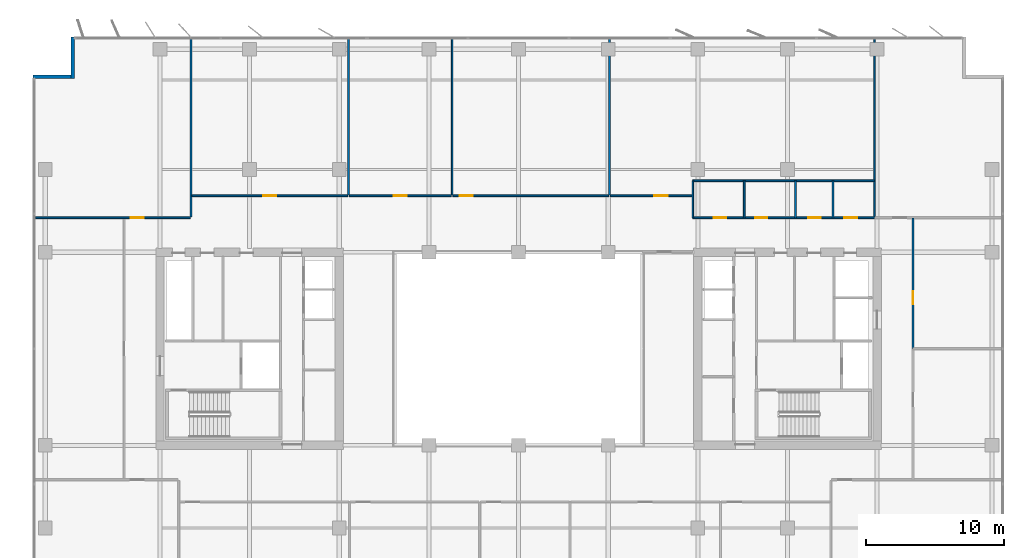
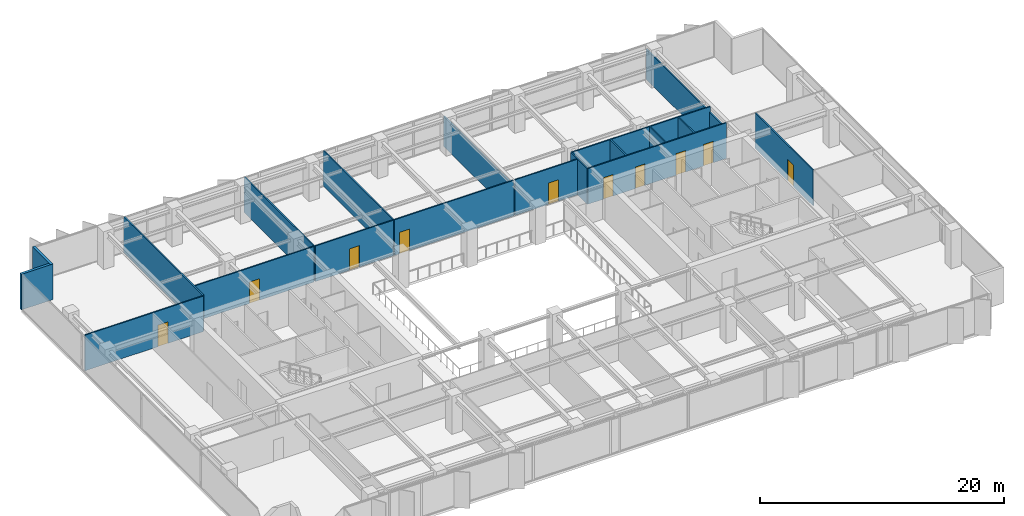
# One storey, part 17 of 22: 19 walls, 10 doors, 10 openings.
"""IFC4 building model written with IfcOpenShell, lengths in metres."""

from ifc_helpers import new_model, si_unit, direction, frame, frame_2d, origin, place, context, subcontext, project, spatial, rectangle, extrude, material, layer, layer_set, type_object, element, fill, save


model = new_model("IFC4")

# Units and contexts
model_context = context("Model", 3, precision=1e-05, world=origin(), true_north=direction((0.0, 1.0)))
body_context = subcontext(model_context, "Body", "Model", "MODEL_VIEW")
ifc_project = project(units=[si_unit("LENGTHUNIT", "METRE"), si_unit("AREAUNIT", "SQUARE_METRE"), si_unit("VOLUMEUNIT", "CUBIC_METRE"), si_unit("PLANEANGLEUNIT", "RADIAN"), si_unit("MASSUNIT", "GRAM", prefix="KILO")], contexts=[model_context])

# Site, building, storey
site_placement = place(None, origin())
site = spatial("IfcSite", under=ifc_project, at=site_placement, CompositionType="ELEMENT")
building_placement = place(site_placement, origin())
building = spatial("IfcBuilding", under=site, at=building_placement, Name="Putna Gate Headquarters", CompositionType="ELEMENT")
storey_placement = place(building_placement, frame((0.0, 0.0, 170.800048828125)))
storey = spatial("IfcBuildingStorey", under=building, at=storey_placement, Name="L42", CompositionType="ELEMENT", Elevation=170.800048828125)

# Walls
ifc_material_1 = material(Name="Precast concrete C40/50", Category="concrete")
ifc_layer_1 = layer(ifc_material_1, 0.239990234375)
ifc_layer_set_1 = layer_set([ifc_layer_1], Name="Precast concrete C40/50")
wall_type_1 = type_object("IfcWallType", Name="WALL-EXT-TERR-240", PredefinedType="STANDARD", material=ifc_layer_set_1)
for number, where, z_axis, x_axis, name in (
    (1, (6.679931640625, 45.60009765625, 0.0), (0.0, 0.0, 1.0), (0.0, 1.0, 0.0), "L42 Corner Notch Return Wall NW-V"),
    (2, (3.800048828125, 45.719970703125, 0.0), (0.0, 0.0, 1.0), (1.0, 0.0, 0.0), "L42 Corner Notch Return Wall NW-H"),
):
    element("IfcWall", number, at=place(storey_placement, frame(where, z_axis=z_axis, x_axis=x_axis)), inside=storey, type_object=wall_type_1, Name=name, PredefinedType="STANDARD", context=body_context, shape_type="SweptSolid", body=[
        extrude(rectangle(XDim=3.0, YDim=0.239990234375, at=frame_2d((1.5, 0.0))), origin(), (0.0, 0.0, 1.0), 3.572021484375),
    ])
ifc_material_2 = material(Name="Acoustic gypsum board on metal stud")
ifc_layer_2 = layer(ifc_material_2, 0.1201171875)
ifc_layer_set_2 = layer_set([ifc_layer_2], Name="Acoustic gypsum board on metal stud")
wall_type_2 = type_object("IfcWallType", Name="WALL-PART-120", PredefinedType="PARTITIONING", material=ifc_layer_set_2)
wall_1_placement = place(storey_placement, frame((15.2548828125, 35.56005859375, 0.0), z_axis=(0.0, 0.0, 1.0), x_axis=(0.0, 1.0, 0.0)))
element("IfcWall", 3, at=wall_1_placement, inside=storey, type_object=wall_type_2, Name="L42 Interior Wall PART-L42-NB-DIV-01", PredefinedType="PARTITIONING", context=body_context, shape_type="SweptSolid", body=[
    extrude(rectangle(XDim=13.02001953125, YDim=0.1201171875, at=frame_2d((6.510009765625, 0.0))), origin(), (0.0, 0.0, 1.0), 3.572021484375),
])
for number, where, z_axis, x_axis, name in (
    (4, (26.669189453125, 37.159912109375, 0.0), (0.0, 0.0, 1.0), (0.0, 1.0, 0.0), "L42 Interior Wall PART-L42-NB-DIV-02"),
    (5, (34.185791015625, 37.159912109375, 0.0), (0.0, 0.0, 1.0), (0.0, 1.0, 0.0), "L42 Interior Wall PART-L42-NB-DIV-03"),
):
    element("IfcWall", number, at=place(storey_placement, frame(where, z_axis=z_axis, x_axis=x_axis)), inside=storey, type_object=wall_type_2, Name=name, PredefinedType="PARTITIONING", context=body_context, shape_type="SweptSolid", body=[
        extrude(rectangle(XDim=11.420166015625, YDim=0.1201171875, at=frame_2d((5.7099609375, 0.0))), origin(), (0.0, 0.0, 1.0), 3.572021484375),
    ])
wall_2_placement = place(storey_placement, frame((45.60009765625, 37.159912109375, 0.0), z_axis=(0.0, 0.0, 1.0), x_axis=(0.0, 1.0, 0.0)))
element("IfcWall", 6, at=wall_2_placement, inside=storey, type_object=wall_type_2, Name="L42 Interior Wall PART-L42-NB-DIV-04", PredefinedType="PARTITIONING", context=body_context, shape_type="SweptSolid", body=[
    extrude(rectangle(XDim=11.420166015625, YDim=0.1201171875, at=frame_2d((5.7099609375, 0.0))), origin(), (0.0, 0.0, 1.0), 3.02197265625),
])
wall_3_placement = place(storey_placement, frame((64.800048828125, 35.56005859375, 0.0), z_axis=(0.0, 0.0, 1.0), x_axis=(0.0, 1.0, 0.0)))
element("IfcWall", 7, at=wall_3_placement, inside=storey, type_object=wall_type_2, Name="L42 Interior Wall PART-L42-NB-DIV-05", PredefinedType="PARTITIONING", context=body_context, shape_type="SweptSolid", body=[
    extrude(rectangle(XDim=13.02001953125, YDim=0.1201171875, at=frame_2d((6.510009765625, 0.0))), origin(), (0.0, 0.0, 1.0), 3.02197265625),
])

# Wall, openings, doors
ifc_material_3 = material(Name="Fire-rated gypsum board on metal stud")
ifc_layer_3 = layer(ifc_material_3, 0.1201171875)
ifc_layer_set_3 = layer_set([ifc_layer_3], Name="Fire-rated gypsum board on metal stud")
wall_type_3 = type_object("IfcWallType", Name="WALL-PART-120-RATED", PredefinedType="PARTITIONING", material=ifc_layer_set_3)
wall_4_placement = place(storey_placement, frame((51.639892578125, 35.5, 0.0), z_axis=(0.0, 0.0, 1.0), x_axis=(1.0, 0.0, 0.0)))
wall_4 = element("IfcWall", 8, at=wall_4_placement, inside=storey, type_object=wall_type_3, Name="L42 Interior Wall PART-L42-SAN-CW", PredefinedType="PARTITIONING", context=body_context, shape_type="SweptSolid", body=[
    extrude(rectangle(XDim=13.16015625, YDim=0.1201171875, at=frame_2d((6.580078125, 0.0))), origin(), (0.0, 0.0, 1.0), 3.572021484375),
])
opening_1_placement = place(wall_4_placement, frame((1.510009765625, 0.0, 0.0)))
opening_1 = element("IfcOpeningElement", 9, at=opening_1_placement, cuts=wall_4, Name="Opening FD-90", PredefinedType="OPENING", context=body_context, shape_type="SweptSolid", body=[
    extrude(rectangle(XDim=0.89990234375, YDim=2.14990234375, at=frame_2d((0.449951171875, 1.074951171875))), frame((0.0, 0.070068359375, 0.0), z_axis=(0.0, -1.0, 0.0), x_axis=(1.0, 0.0, 0.0)), (0.0, 0.0, 1.0), 0.14013671875),
])
opening_2_placement = place(wall_4_placement, frame((4.510009765625, 0.0, 0.0)))
opening_2 = element("IfcOpeningElement", 10, at=opening_2_placement, cuts=wall_4, Name="Opening FD-90", PredefinedType="OPENING", context=body_context, shape_type="SweptSolid", body=[
    extrude(rectangle(XDim=0.89990234375, YDim=2.14990234375, at=frame_2d((0.449951171875, 1.074951171875))), frame((0.0, 0.070068359375, 0.0), z_axis=(0.0, -1.0, 0.0), x_axis=(1.0, 0.0, 0.0)), (0.0, 0.0, 1.0), 0.14013671875),
])
opening_3_placement = place(wall_4_placement, frame((8.360107421875, 0.0, 0.0)))
opening_3 = element("IfcOpeningElement", 11, at=opening_3_placement, cuts=wall_4, Name="Opening FD-90", PredefinedType="OPENING", context=body_context, shape_type="SweptSolid", body=[
    extrude(rectangle(XDim=0.89990234375, YDim=2.14990234375, at=frame_2d((0.449951171875, 1.074951171875))), frame((0.0, 0.070068359375, 0.0), z_axis=(0.0, -1.0, 0.0), x_axis=(1.0, 0.0, 0.0)), (0.0, 0.0, 1.0), 0.14013671875),
])
opening_4_placement = place(wall_4_placement, frame((10.9599609375, 0.0, 0.0)))
opening_4 = element("IfcOpeningElement", 12, at=opening_4_placement, cuts=wall_4, Name="Opening FD-95", PredefinedType="OPENING", context=body_context, shape_type="SweptSolid", body=[
    extrude(rectangle(XDim=0.949951171875, YDim=2.14990234375, at=frame_2d((0.47509765625, 1.074951171875))), frame((0.0, 0.070068359375, 0.0), z_axis=(0.0, -1.0, 0.0), x_axis=(1.0, 0.0, 0.0)), (0.0, 0.0, 1.0), 0.14013671875),
])
ifc_material_4 = material(Name="Acoustic washroom fire door")
door_type_1 = type_object("IfcDoorType", Name="DOOR-FIRE-900", OperationType="NOTDEFINED", PredefinedType="DOOR", material=ifc_material_4)
door_1_placement = place(opening_1_placement, origin())
door_1 = element("IfcDoor", 13, at=door_1_placement, inside=storey, type_object=door_type_1, Name="L42 Washroom Male Door", OperationType="SINGLE_SWING_RIGHT", OverallHeight=2.14990234375, OverallWidth=0.89990234375, PredefinedType="DOOR", context=body_context, shape_type="SweptSolid", body=[
    extrude(rectangle(XDim=0.89990234375, YDim=2.14990234375, at=frame_2d((0.449951171875, 1.074951171875))), frame((0.0, 0.02490234375, 0.0), z_axis=(0.0, -1.0, 0.0), x_axis=(1.0, 0.0, 0.0)), (0.0, 0.0, 1.0), 0.050048828125),
])
fill(opening_1, door_1)
door_2_placement = place(opening_2_placement, origin())
door_2 = element("IfcDoor", 14, at=door_2_placement, inside=storey, type_object=door_type_1, Name="L42 Washroom Female Door", OperationType="SINGLE_SWING_LEFT", OverallHeight=2.14990234375, OverallWidth=0.89990234375, PredefinedType="DOOR", context=body_context, shape_type="SweptSolid", body=[
    extrude(rectangle(XDim=0.89990234375, YDim=2.14990234375, at=frame_2d((0.449951171875, 1.074951171875))), frame((0.0, 0.02490234375, 0.0), z_axis=(0.0, -1.0, 0.0), x_axis=(1.0, 0.0, 0.0)), (0.0, 0.0, 1.0), 0.050048828125),
])
fill(opening_2, door_2)
door_3_placement = place(opening_3_placement, origin())
door_3 = element("IfcDoor", 15, at=door_3_placement, inside=storey, type_object=door_type_1, Name="L42 Accessible WC Door", OperationType="SINGLE_SWING_RIGHT", OverallHeight=2.14990234375, OverallWidth=0.89990234375, PredefinedType="DOOR", context=body_context, shape_type="SweptSolid", body=[
    extrude(rectangle(XDim=0.89990234375, YDim=2.14990234375, at=frame_2d((0.449951171875, 1.074951171875))), frame((0.0, 0.02490234375, 0.0), z_axis=(0.0, -1.0, 0.0), x_axis=(1.0, 0.0, 0.0)), (0.0, 0.0, 1.0), 0.050048828125),
])
fill(opening_3, door_3)
ifc_material_5 = material(Name="Acoustic timber fire door", Category="wood")
door_type_2 = type_object("IfcDoorType", Name="DOOR-FIRE-950", OperationType="NOTDEFINED", PredefinedType="DOOR", material=ifc_material_5)
door_4_placement = place(opening_4_placement, origin())
door_4 = element("IfcDoor", 16, at=door_4_placement, inside=storey, type_object=door_type_2, Name="L42 Staff Pantry and Tea Point Door", OperationType="SINGLE_SWING_LEFT", OverallHeight=2.14990234375, OverallWidth=0.949951171875, PredefinedType="DOOR", context=body_context, shape_type="SweptSolid", body=[
    extrude(rectangle(XDim=0.949951171875, YDim=2.14990234375, at=frame_2d((0.47509765625, 1.074951171875))), frame((0.0, 0.02490234375, 0.0), z_axis=(0.0, -1.0, 0.0), x_axis=(1.0, 0.0, 0.0)), (0.0, 0.0, 1.0), 0.050048828125),
])
fill(opening_4, door_4)

# Walls
wall_5_placement = place(storey_placement, frame((51.639892578125, 38.179931640625, 0.0), z_axis=(0.0, 0.0, 1.0), x_axis=(1.0, 0.0, 0.0)))
element("IfcWall", 17, at=wall_5_placement, inside=storey, type_object=wall_type_3, Name="L42 Interior Wall PART-L42-SAN-BACK", PredefinedType="PARTITIONING", context=body_context, shape_type="SweptSolid", body=[
    extrude(rectangle(XDim=13.16015625, YDim=0.1201171875, at=frame_2d((6.580078125, 0.0))), origin(), (0.0, 0.0, 1.0), 3.572021484375),
])
for number, where, z_axis, x_axis, name in (
    (18, (51.639892578125, 35.5, 0.0), (0.0, 0.0, 1.0), (0.0, 1.0, 0.0), "L42 Interior Wall PART-L42-SAN-DIV-1"),
    (19, (55.360107421875, 35.5, 0.0), (0.0, 0.0, 1.0), (0.0, 1.0, 0.0), "L42 Interior Wall PART-L42-SAN-DIV-2"),
    (20, (59.080078125, 35.5, 0.0), (0.0, 0.0, 1.0), (0.0, 1.0, 0.0), "L42 Interior Wall PART-L42-SAN-DIV-3"),
    (21, (61.800048828125, 35.5, 0.0), (0.0, 0.0, 1.0), (0.0, 1.0, 0.0), "L42 Interior Wall PART-L42-SAN-DIV-4"),
):
    element("IfcWall", number, at=place(storey_placement, frame(where, z_axis=z_axis, x_axis=x_axis)), inside=storey, type_object=wall_type_3, Name=name, PredefinedType="PARTITIONING", context=body_context, shape_type="SweptSolid", body=[
        extrude(rectangle(XDim=2.679931640625, YDim=0.1201171875, at=frame_2d((1.33984375, 0.0))), origin(), (0.0, 0.0, 1.0), 3.572021484375),
    ])

# Wall, opening, door
wall_6_placement = place(storey_placement, frame((3.97998046875, 35.5, 0.0), z_axis=(0.0, 0.0, 1.0), x_axis=(1.0, 0.0, 0.0)))
wall_6 = element("IfcWall", 22, at=wall_6_placement, inside=storey, type_object=wall_type_3, Name="L42 Interior Wall PART-L42-NB-CW-01", PredefinedType="PARTITIONING", context=body_context, shape_type="SweptSolid", body=[
    extrude(rectangle(XDim=11.215087890625, YDim=0.1201171875, at=frame_2d((5.607421875, 0.0))), origin(), (0.0, 0.0, 1.0), 3.572021484375),
])
opening_5_placement = place(wall_6_placement, frame((6.89990234375, 0.0, 0.0)))
opening_5 = element("IfcOpeningElement", 23, at=opening_5_placement, cuts=wall_6, Name="Opening FD-95", PredefinedType="OPENING", context=body_context, shape_type="SweptSolid", body=[
    extrude(rectangle(XDim=0.949951171875, YDim=2.14990234375, at=frame_2d((0.47509765625, 1.074951171875))), frame((0.0, 0.070068359375, 0.0), z_axis=(0.0, -1.0, 0.0), x_axis=(1.0, 0.0, 0.0)), (0.0, 0.0, 1.0), 0.14013671875),
])
door_5_placement = place(opening_5_placement, origin())
door_5 = element("IfcDoor", 24, at=door_5_placement, inside=storey, type_object=door_type_2, Name="L42 Cellular Office 1 Door", OperationType="SINGLE_SWING_RIGHT", OverallHeight=2.14990234375, OverallWidth=0.949951171875, PredefinedType="DOOR", context=body_context, shape_type="SweptSolid", body=[
    extrude(rectangle(XDim=0.949951171875, YDim=2.14990234375, at=frame_2d((0.47509765625, 1.074951171875))), frame((0.0, 0.02490234375, 0.0), z_axis=(0.0, -1.0, 0.0), x_axis=(1.0, 0.0, 0.0)), (0.0, 0.0, 1.0), 0.050048828125),
])
fill(opening_5, door_5)

wall_7_placement = place(storey_placement, frame((15.31494140625, 37.10009765625, 0.0), z_axis=(0.0, 0.0, 1.0), x_axis=(1.0, 0.0, 0.0)))
wall_7 = element("IfcWall", 25, at=wall_7_placement, inside=storey, type_object=wall_type_3, Name="L42 Interior Wall PART-L42-NB-CW-02", PredefinedType="PARTITIONING", context=body_context, shape_type="SweptSolid", body=[
    extrude(rectangle(XDim=11.294189453125, YDim=0.1201171875, at=frame_2d((5.64697265625, 0.0))), origin(), (0.0, 0.0, 1.0), 3.572021484375),
])
opening_6_placement = place(wall_7_placement, frame((5.172119140625, 0.0, 0.0)))
opening_6 = element("IfcOpeningElement", 26, at=opening_6_placement, cuts=wall_7, Name="Opening FD-95", PredefinedType="OPENING", context=body_context, shape_type="SweptSolid", body=[
    extrude(rectangle(XDim=0.949951171875, YDim=2.14990234375, at=frame_2d((0.47509765625, 1.074951171875))), frame((0.0, 0.070068359375, 0.0), z_axis=(0.0, -1.0, 0.0), x_axis=(1.0, 0.0, 0.0)), (0.0, 0.0, 1.0), 0.14013671875),
])
door_6_placement = place(opening_6_placement, origin())
door_6 = element("IfcDoor", 27, at=door_6_placement, inside=storey, type_object=door_type_2, Name="L42 Cellular Office 5 Door", OperationType="SINGLE_SWING_LEFT", OverallHeight=2.14990234375, OverallWidth=0.949951171875, PredefinedType="DOOR", context=body_context, shape_type="SweptSolid", body=[
    extrude(rectangle(XDim=0.949951171875, YDim=2.14990234375, at=frame_2d((0.47509765625, 1.074951171875))), frame((0.0, 0.02490234375, 0.0), z_axis=(0.0, -1.0, 0.0), x_axis=(1.0, 0.0, 0.0)), (0.0, 0.0, 1.0), 0.050048828125),
])
fill(opening_6, door_6)

wall_8_placement = place(storey_placement, frame((26.729248046875, 37.10009765625, 0.0), z_axis=(0.0, 0.0, 1.0), x_axis=(1.0, 0.0, 0.0)))
wall_8 = element("IfcWall", 28, at=wall_8_placement, inside=storey, type_object=wall_type_3, Name="L42 Interior Wall PART-L42-NB-CW-03", PredefinedType="PARTITIONING", context=body_context, shape_type="SweptSolid", body=[
    extrude(rectangle(XDim=7.396484375, YDim=0.1201171875, at=frame_2d((3.6982421875, 0.0))), origin(), (0.0, 0.0, 1.0), 3.572021484375),
])
opening_7_placement = place(wall_8_placement, frame((3.223388671875, 0.0, 0.0)))
opening_7 = element("IfcOpeningElement", 29, at=opening_7_placement, cuts=wall_8, Name="Opening FD-95", PredefinedType="OPENING", context=body_context, shape_type="SweptSolid", body=[
    extrude(rectangle(XDim=0.949951171875, YDim=2.14990234375, at=frame_2d((0.47509765625, 1.074951171875))), frame((0.0, 0.070068359375, 0.0), z_axis=(0.0, -1.0, 0.0), x_axis=(1.0, 0.0, 0.0)), (0.0, 0.0, 1.0), 0.14013671875),
])
door_7_placement = place(opening_7_placement, origin())
door_7 = element("IfcDoor", 30, at=door_7_placement, inside=storey, type_object=door_type_2, Name="L42 Conference Meeting Room 1 Door", OperationType="SINGLE_SWING_RIGHT", OverallHeight=2.14990234375, OverallWidth=0.949951171875, PredefinedType="DOOR", context=body_context, shape_type="SweptSolid", body=[
    extrude(rectangle(XDim=0.949951171875, YDim=2.14990234375, at=frame_2d((0.47509765625, 1.074951171875))), frame((0.0, 0.02490234375, 0.0), z_axis=(0.0, -1.0, 0.0), x_axis=(1.0, 0.0, 0.0)), (0.0, 0.0, 1.0), 0.050048828125),
])
fill(opening_7, door_7)

wall_9_placement = place(storey_placement, frame((34.245849609375, 37.10009765625, 0.0), z_axis=(0.0, 0.0, 1.0), x_axis=(1.0, 0.0, 0.0)))
wall_9 = element("IfcWall", 31, at=wall_9_placement, inside=storey, type_object=wall_type_3, Name="L42 Interior Wall PART-L42-NB-CW-04", PredefinedType="PARTITIONING", context=body_context, shape_type="SweptSolid", body=[
    extrude(rectangle(XDim=11.294189453125, YDim=0.1201171875, at=frame_2d((5.64697265625, 0.0))), origin(), (0.0, 0.0, 1.0), 3.572021484375),
])
opening_8_placement = place(wall_9_placement, frame((0.47998046875, 0.0, 0.0)))
opening_8 = element("IfcOpeningElement", 32, at=opening_8_placement, cuts=wall_9, Name="Opening FD-95", PredefinedType="OPENING", context=body_context, shape_type="SweptSolid", body=[
    extrude(rectangle(XDim=0.949951171875, YDim=2.14990234375, at=frame_2d((0.47509765625, 1.074951171875))), frame((0.0, 0.070068359375, 0.0), z_axis=(0.0, -1.0, 0.0), x_axis=(1.0, 0.0, 0.0)), (0.0, 0.0, 1.0), 0.14013671875),
])
door_8_placement = place(opening_8_placement, origin())
door_8 = element("IfcDoor", 33, at=door_8_placement, inside=storey, type_object=door_type_2, Name="L42 Conference Meeting Room 2 Door", OperationType="SINGLE_SWING_LEFT", OverallHeight=2.14990234375, OverallWidth=0.949951171875, PredefinedType="DOOR", context=body_context, shape_type="SweptSolid", body=[
    extrude(rectangle(XDim=0.949951171875, YDim=2.14990234375, at=frame_2d((0.47509765625, 1.074951171875))), frame((0.0, 0.02490234375, 0.0), z_axis=(0.0, -1.0, 0.0), x_axis=(1.0, 0.0, 0.0)), (0.0, 0.0, 1.0), 0.050048828125),
])
fill(opening_8, door_8)

wall_10_placement = place(storey_placement, frame((45.659912109375, 37.10009765625, 0.0), z_axis=(0.0, 0.0, 1.0), x_axis=(1.0, 0.0, 0.0)))
wall_10 = element("IfcWall", 34, at=wall_10_placement, inside=storey, type_object=wall_type_3, Name="L42 Interior Wall PART-L42-NB-CW-05", PredefinedType="PARTITIONING", context=body_context, shape_type="SweptSolid", body=[
    extrude(rectangle(XDim=5.920166015625, YDim=0.1201171875, at=frame_2d((2.9599609375, 0.0))), origin(), (0.0, 0.0, 1.0), 3.572021484375),
])
opening_9_placement = place(wall_10_placement, frame((3.194091796875, 0.0, 0.0)))
opening_9 = element("IfcOpeningElement", 35, at=opening_9_placement, cuts=wall_10, Name="Opening FD-95", PredefinedType="OPENING", context=body_context, shape_type="SweptSolid", body=[
    extrude(rectangle(XDim=0.949951171875, YDim=2.14990234375, at=frame_2d((0.47509765625, 1.074951171875))), frame((0.0, 0.070068359375, 0.0), z_axis=(0.0, -1.0, 0.0), x_axis=(1.0, 0.0, 0.0)), (0.0, 0.0, 1.0), 0.14013671875),
])
door_9_placement = place(opening_9_placement, origin())
door_9 = element("IfcDoor", 36, at=door_9_placement, inside=storey, type_object=door_type_2, Name="L42 Primary Open Office Workplace Door", OperationType="SINGLE_SWING_RIGHT", OverallHeight=2.14990234375, OverallWidth=0.949951171875, PredefinedType="DOOR", context=body_context, shape_type="SweptSolid", body=[
    extrude(rectangle(XDim=0.949951171875, YDim=2.14990234375, at=frame_2d((0.47509765625, 1.074951171875))), frame((0.0, 0.02490234375, 0.0), z_axis=(0.0, -1.0, 0.0), x_axis=(1.0, 0.0, 0.0)), (0.0, 0.0, 1.0), 0.050048828125),
])
fill(opening_9, door_9)

wall_11_placement = place(storey_placement, frame((67.60009765625, 26.0, 0.0), z_axis=(0.0, 0.0, 1.0), x_axis=(0.0, 1.0, 0.0)))
wall_11 = element("IfcWall", 37, at=wall_11_placement, inside=storey, type_object=wall_type_3, Name="L42 Interior Wall PART-L42-EW-CW-2", PredefinedType="PARTITIONING", context=body_context, shape_type="SweptSolid", body=[
    extrude(rectangle(XDim=9.5, YDim=0.1201171875, at=frame_2d((4.75, 0.0))), origin(), (0.0, 0.0, 1.0), 3.572021484375),
])
opening_10_placement = place(wall_11_placement, frame((3.22509765625, 0.0, 0.0)))
opening_10 = element("IfcOpeningElement", 38, at=opening_10_placement, cuts=wall_11, Name="Opening FD-95", PredefinedType="OPENING", context=body_context, shape_type="SweptSolid", body=[
    extrude(rectangle(XDim=0.949951171875, YDim=2.14990234375, at=frame_2d((0.47509765625, 1.074951171875))), frame((0.0, 0.070068359375, 0.0), z_axis=(0.0, -1.0, 0.0), x_axis=(1.0, 0.0, 0.0)), (0.0, 0.0, 1.0), 0.14013671875),
])
door_10_placement = place(opening_10_placement, origin())
door_10 = element("IfcDoor", 39, at=door_10_placement, inside=storey, type_object=door_type_2, Name="L42 East Horizon Conference Room 2 Door", OperationType="SINGLE_SWING_LEFT", OverallHeight=2.14990234375, OverallWidth=0.949951171875, PredefinedType="DOOR", context=body_context, shape_type="SweptSolid", body=[
    extrude(rectangle(XDim=0.949951171875, YDim=2.14990234375, at=frame_2d((0.47509765625, 1.074951171875))), frame((0.0, 0.02490234375, 0.0), z_axis=(0.0, -1.0, 0.0), x_axis=(1.0, 0.0, 0.0)), (0.0, 0.0, 1.0), 0.050048828125),
])
fill(opening_10, door_10)

save(model, "model.ifc")
